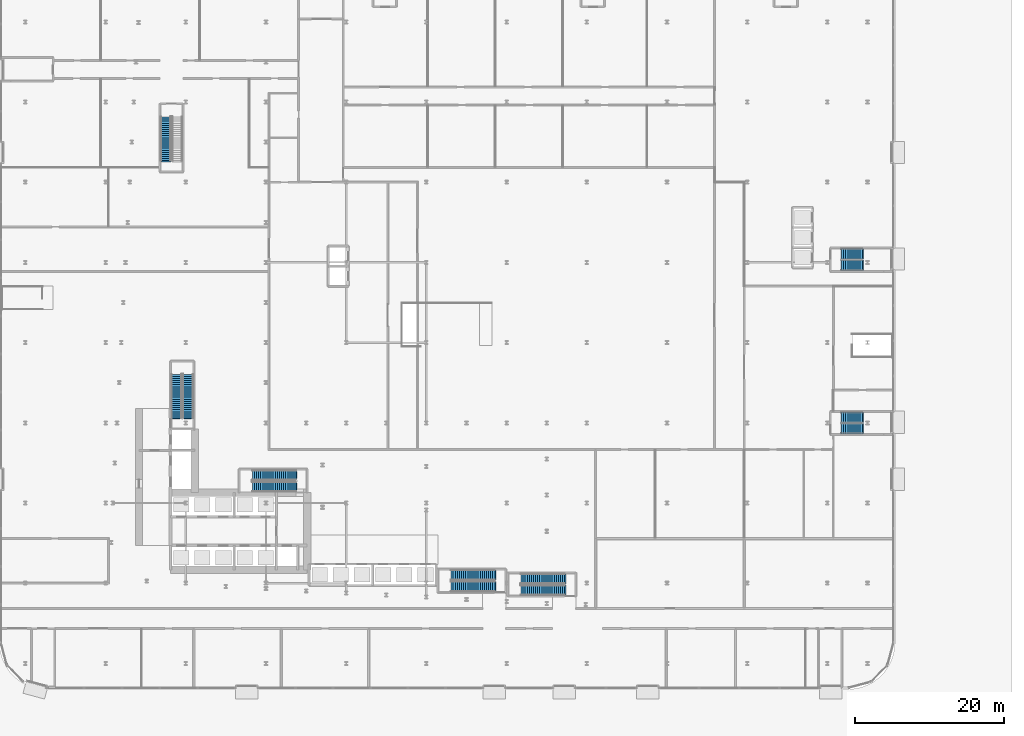
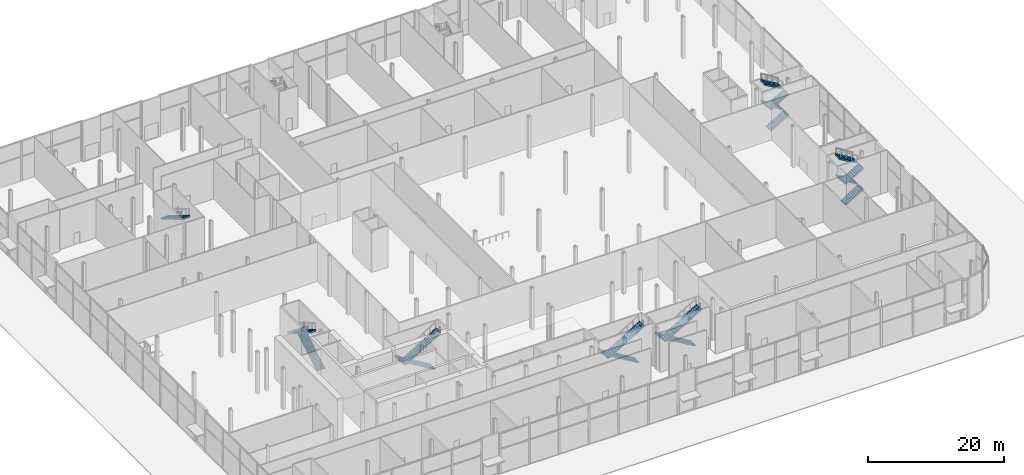
# One storey, part 33 of 46: 17 stair flights, 7 elements without a shape of their own.
"""IFC4 building model written with IfcOpenShell, lengths in metres."""

from ifc_helpers import new_model, si_unit, direction, frame, origin, place, context, subcontext, project, spatial, polyline, outline, extrude, material, layer, layer_set, type_object, element, aggregate, save


model = new_model("IFC4")

# Units and contexts
model_context = context("Model", 3, precision=1e-05, world=origin(), true_north=direction((0.0, 1.0)))
body_context = subcontext(model_context, "Body", "Model", "MODEL_VIEW")
ifc_project = project(units=[si_unit("LENGTHUNIT", "METRE"), si_unit("AREAUNIT", "SQUARE_METRE"), si_unit("VOLUMEUNIT", "CUBIC_METRE"), si_unit("PLANEANGLEUNIT", "RADIAN"), si_unit("MASSUNIT", "GRAM", prefix="KILO")], contexts=[model_context])

# Site, building, storey
site_placement = place(None, origin())
site = spatial("IfcSite", under=ifc_project, at=site_placement, CompositionType="ELEMENT")
building_placement = place(site_placement, origin())
building = spatial("IfcBuilding", under=site, at=building_placement, Name="Kheshtan School and Residences Tower", CompositionType="ELEMENT")
storey_placement = place(building_placement, origin())
storey = spatial("IfcBuildingStorey", under=building, at=storey_placement, Name="L00", CompositionType="ELEMENT", Elevation=0.0)

# Stair, stair flights
ifc_material = material(Name="Concrete C40/50", Category="concrete")
stair_type = type_object("IfcStairType", Name="Exit stair, half-turn", PredefinedType="HALF_TURN_STAIR", material=ifc_material)
stair_1_placement = place(storey_placement, origin())
stair_1 = element("IfcStair", 1, at=stair_1_placement, inside=storey, type_object=stair_type, Name="L00 Protected Exit Stair ST1", PredefinedType="HALF_TURN_STAIR")
ifc_layer = layer(ifc_material, 0.14990234375)
ifc_layer_set = layer_set([ifc_layer], Name="Stair flight 1400 Concrete C40/50")
stair_flight_type = type_object("IfcStairFlightType", Name="Stair flight 1400 Concrete C40/50", PredefinedType="STRAIGHT", material=ifc_layer_set)
stair_flight_1_placement = place(storey_placement, frame((51.64990234375, 38.550048828125, 0.0), z_axis=(0.0, 0.0, 1.0), x_axis=(-1.0, 0.0, 0.0)))
stair_flight_1 = element("IfcStairFlight", 2, at=stair_flight_1_placement, type_object=stair_flight_type, Name="ST1 flight 1", NumberOfRisers=22, NumberOfTreads=21, PredefinedType="STRAIGHT", RiserHeight=0.170454545, TreadLength=0.28, context=body_context, shape_type="SweptSolid", body=[
    extrude(outline(polyline([(-0.14990234375, -0.10009765625), (-0.14990234375, 0.0), (0.0, 0.0), (0.0, 0.17041015625), (0.280029296875, 0.17041015625), (0.280029296875, 0.3408203125), (0.56005859375, 0.3408203125), (0.56005859375, 0.511474609375), (0.840087890625, 0.511474609375), (0.840087890625, 0.681884765625), (1.1201171875, 0.681884765625), (1.1201171875, 0.852294921875), (1.39990234375, 0.852294921875), (1.39990234375, 1.022705078125), (1.679931640625, 1.022705078125), (1.679931640625, 1.193115234375), (1.9599609375, 1.193115234375), (1.9599609375, 1.363525390625), (2.239990234375, 1.363525390625), (2.239990234375, 1.5341796875), (2.52001953125, 1.5341796875), (2.52001953125, 1.70458984375), (2.800048828125, 1.70458984375), (2.800048828125, 1.875), (3.080078125, 1.875), (3.080078125, 2.04541015625), (3.360107421875, 2.04541015625), (3.360107421875, 2.2158203125), (3.639892578125, 2.2158203125), (3.639892578125, 2.386474609375), (3.919921875, 2.386474609375), (3.919921875, 2.556884765625), (4.199951171875, 2.556884765625), (4.199951171875, 2.727294921875), (4.47998046875, 2.727294921875), (4.47998046875, 2.897705078125), (4.760009765625, 2.897705078125), (4.760009765625, 3.068115234375), (5.0400390625, 3.068115234375), (5.0400390625, 3.238525390625), (5.320068359375, 3.238525390625), (5.320068359375, 3.4091796875), (5.60009765625, 3.4091796875), (5.60009765625, 3.57958984375), (5.8798828125, 3.57958984375), (5.8798828125, 3.75), (5.8798828125, 3.77001953125), (6.02978515625, 3.77001953125), (6.02978515625, 3.404052734375), (0.288330078125, 0.0), (-0.14990234375, -0.10009765625)])), frame((0.0, 0.699951171875, 0.0), z_axis=(0.0, -1.0, 0.0), x_axis=(1.0, 0.0, 0.0)), (0.0, 0.0, 1.0), 1.39990234375),
])
stair_flight_2_placement = place(storey_placement, frame((45.77001953125, 37.0, 3.75), z_axis=(0.0, 0.0, 1.0), x_axis=(1.0, 0.0, 0.0)))
stair_flight_2 = element("IfcStairFlight", 3, at=stair_flight_2_placement, type_object=stair_flight_type, Name="ST1 flight 2", NumberOfRisers=22, NumberOfTreads=21, PredefinedType="STRAIGHT", RiserHeight=0.170454545, TreadLength=0.28, context=body_context, shape_type="SweptSolid", body=[
    extrude(outline(polyline([(-0.14990234375, -0.10009765625), (-0.14990234375, 0.0), (0.0, 0.0), (0.0, 0.17041015625), (0.280029296875, 0.17041015625), (0.280029296875, 0.3408203125), (0.56005859375, 0.3408203125), (0.56005859375, 0.511474609375), (0.840087890625, 0.511474609375), (0.840087890625, 0.681884765625), (1.1201171875, 0.681884765625), (1.1201171875, 0.852294921875), (1.39990234375, 0.852294921875), (1.39990234375, 1.022705078125), (1.679931640625, 1.022705078125), (1.679931640625, 1.193115234375), (1.9599609375, 1.193115234375), (1.9599609375, 1.363525390625), (2.239990234375, 1.363525390625), (2.239990234375, 1.5341796875), (2.52001953125, 1.5341796875), (2.52001953125, 1.70458984375), (2.800048828125, 1.70458984375), (2.800048828125, 1.875), (3.080078125, 1.875), (3.080078125, 2.04541015625), (3.360107421875, 2.04541015625), (3.360107421875, 2.2158203125), (3.639892578125, 2.2158203125), (3.639892578125, 2.386474609375), (3.919921875, 2.386474609375), (3.919921875, 2.556884765625), (4.199951171875, 2.556884765625), (4.199951171875, 2.727294921875), (4.47998046875, 2.727294921875), (4.47998046875, 2.897705078125), (4.760009765625, 2.897705078125), (4.760009765625, 3.068115234375), (5.0400390625, 3.068115234375), (5.0400390625, 3.238525390625), (5.320068359375, 3.238525390625), (5.320068359375, 3.4091796875), (5.60009765625, 3.4091796875), (5.60009765625, 3.57958984375), (5.8798828125, 3.57958984375), (5.8798828125, 3.75), (5.8798828125, 3.77001953125), (6.02978515625, 3.77001953125), (6.02978515625, 3.404052734375), (0.288330078125, 0.0), (-0.14990234375, -0.10009765625)])), frame((0.0, 0.699951171875, 0.0), z_axis=(0.0, -1.0, 0.0), x_axis=(1.0, 0.0, 0.0)), (0.0, 0.0, 1.0), 1.39990234375),
])
aggregate(stair_1, [stair_flight_1, stair_flight_2])

stair_2_placement = place(storey_placement, origin())
stair_2 = element("IfcStair", 4, at=stair_2_placement, inside=storey, type_object=stair_type, Name="L00 Protected Exit Stair ST2", PredefinedType="HALF_TURN_STAIR")
stair_flight_3_placement = place(storey_placement, frame((37.10009765625, 46.25, 0.0), z_axis=(0.0, 0.0, 1.0), x_axis=(0.0, 1.0, 0.0)))
stair_flight_3 = element("IfcStairFlight", 5, at=stair_flight_3_placement, type_object=stair_flight_type, Name="ST2 flight 1", NumberOfRisers=22, NumberOfTreads=21, PredefinedType="STRAIGHT", RiserHeight=0.170454545, TreadLength=0.28, context=body_context, shape_type="SweptSolid", body=[
    extrude(outline(polyline([(-0.14990234375, -0.10009765625), (-0.14990234375, 0.0), (0.0, 0.0), (0.0, 0.17041015625), (0.280029296875, 0.17041015625), (0.280029296875, 0.3408203125), (0.56005859375, 0.3408203125), (0.56005859375, 0.511474609375), (0.840087890625, 0.511474609375), (0.840087890625, 0.681884765625), (1.1201171875, 0.681884765625), (1.1201171875, 0.852294921875), (1.39990234375, 0.852294921875), (1.39990234375, 1.022705078125), (1.679931640625, 1.022705078125), (1.679931640625, 1.193115234375), (1.9599609375, 1.193115234375), (1.9599609375, 1.363525390625), (2.239990234375, 1.363525390625), (2.239990234375, 1.5341796875), (2.52001953125, 1.5341796875), (2.52001953125, 1.70458984375), (2.800048828125, 1.70458984375), (2.800048828125, 1.875), (3.080078125, 1.875), (3.080078125, 2.04541015625), (3.360107421875, 2.04541015625), (3.360107421875, 2.2158203125), (3.639892578125, 2.2158203125), (3.639892578125, 2.386474609375), (3.919921875, 2.386474609375), (3.919921875, 2.556884765625), (4.199951171875, 2.556884765625), (4.199951171875, 2.727294921875), (4.47998046875, 2.727294921875), (4.47998046875, 2.897705078125), (4.760009765625, 2.897705078125), (4.760009765625, 3.068115234375), (5.0400390625, 3.068115234375), (5.0400390625, 3.238525390625), (5.320068359375, 3.238525390625), (5.320068359375, 3.4091796875), (5.60009765625, 3.4091796875), (5.60009765625, 3.57958984375), (5.8798828125, 3.57958984375), (5.8798828125, 3.75), (5.8798828125, 3.77001953125), (6.02978515625, 3.77001953125), (6.02978515625, 3.404052734375), (0.288330078125, 0.0), (-0.14990234375, -0.10009765625)])), frame((0.0, 0.699951171875, 0.0), z_axis=(0.0, -1.0, 0.0), x_axis=(1.0, 0.0, 0.0)), (0.0, 0.0, 1.0), 1.39990234375),
])
stair_flight_4_placement = place(storey_placement, frame((35.550048828125, 52.1298828125, 3.75), z_axis=(0.0, 0.0, 1.0), x_axis=(0.0, -1.0, 0.0)))
stair_flight_4 = element("IfcStairFlight", 6, at=stair_flight_4_placement, type_object=stair_flight_type, Name="ST2 flight 2", NumberOfRisers=22, NumberOfTreads=21, PredefinedType="STRAIGHT", RiserHeight=0.170454545, TreadLength=0.28, context=body_context, shape_type="SweptSolid", body=[
    extrude(outline(polyline([(-0.14990234375, -0.10009765625), (-0.14990234375, 0.0), (0.0, 0.0), (0.0, 0.17041015625), (0.280029296875, 0.17041015625), (0.280029296875, 0.3408203125), (0.56005859375, 0.3408203125), (0.56005859375, 0.511474609375), (0.840087890625, 0.511474609375), (0.840087890625, 0.681884765625), (1.1201171875, 0.681884765625), (1.1201171875, 0.852294921875), (1.39990234375, 0.852294921875), (1.39990234375, 1.022705078125), (1.679931640625, 1.022705078125), (1.679931640625, 1.193115234375), (1.9599609375, 1.193115234375), (1.9599609375, 1.363525390625), (2.239990234375, 1.363525390625), (2.239990234375, 1.5341796875), (2.52001953125, 1.5341796875), (2.52001953125, 1.70458984375), (2.800048828125, 1.70458984375), (2.800048828125, 1.875), (3.080078125, 1.875), (3.080078125, 2.04541015625), (3.360107421875, 2.04541015625), (3.360107421875, 2.2158203125), (3.639892578125, 2.2158203125), (3.639892578125, 2.386474609375), (3.919921875, 2.386474609375), (3.919921875, 2.556884765625), (4.199951171875, 2.556884765625), (4.199951171875, 2.727294921875), (4.47998046875, 2.727294921875), (4.47998046875, 2.897705078125), (4.760009765625, 2.897705078125), (4.760009765625, 3.068115234375), (5.0400390625, 3.068115234375), (5.0400390625, 3.238525390625), (5.320068359375, 3.238525390625), (5.320068359375, 3.4091796875), (5.60009765625, 3.4091796875), (5.60009765625, 3.57958984375), (5.8798828125, 3.57958984375), (5.8798828125, 3.75), (5.8798828125, 3.77001953125), (6.02978515625, 3.77001953125), (6.02978515625, 3.404052734375), (0.288330078125, 0.0), (-0.14990234375, -0.10009765625)])), frame((0.0, 0.699951171875, 0.0), z_axis=(0.0, -1.0, 0.0), x_axis=(1.0, 0.0, 0.0)), (0.0, 0.0, 1.0), 1.39990234375),
])
aggregate(stair_2, [stair_flight_3, stair_flight_4])

# Stair, stair flight
stair_3_placement = place(storey_placement, origin())
stair_3 = element("IfcStair", 7, at=stair_3_placement, inside=storey, type_object=stair_type, Name="L00 Protected Exit Stair ST3", PredefinedType="HALF_TURN_STAIR")
stair_flight_5_placement = place(storey_placement, frame((34.10009765625, 86.780029296875, 3.75), z_axis=(0.0, 0.0, 1.0), x_axis=(0.0, -1.0, 0.0)))
stair_flight_5 = element("IfcStairFlight", 8, at=stair_flight_5_placement, type_object=stair_flight_type, Name="ST3 flight 2", NumberOfRisers=22, NumberOfTreads=21, PredefinedType="STRAIGHT", RiserHeight=0.170454545, TreadLength=0.28, context=body_context, shape_type="SweptSolid", body=[
    extrude(outline(polyline([(-0.14990234375, -0.10009765625), (-0.14990234375, 0.0), (0.0, 0.0), (0.0, 0.17041015625), (0.280029296875, 0.17041015625), (0.280029296875, 0.3408203125), (0.56005859375, 0.3408203125), (0.56005859375, 0.511474609375), (0.840087890625, 0.511474609375), (0.840087890625, 0.681884765625), (1.1201171875, 0.681884765625), (1.1201171875, 0.852294921875), (1.39990234375, 0.852294921875), (1.39990234375, 1.022705078125), (1.679931640625, 1.022705078125), (1.679931640625, 1.193115234375), (1.9599609375, 1.193115234375), (1.9599609375, 1.363525390625), (2.239990234375, 1.363525390625), (2.239990234375, 1.5341796875), (2.52001953125, 1.5341796875), (2.52001953125, 1.70458984375), (2.800048828125, 1.70458984375), (2.800048828125, 1.875), (3.080078125, 1.875), (3.080078125, 2.04541015625), (3.360107421875, 2.04541015625), (3.360107421875, 2.2158203125), (3.639892578125, 2.2158203125), (3.639892578125, 2.386474609375), (3.919921875, 2.386474609375), (3.919921875, 2.556884765625), (4.199951171875, 2.556884765625), (4.199951171875, 2.727294921875), (4.47998046875, 2.727294921875), (4.47998046875, 2.897705078125), (4.760009765625, 2.897705078125), (4.760009765625, 3.068115234375), (5.0400390625, 3.068115234375), (5.0400390625, 3.238525390625), (5.320068359375, 3.238525390625), (5.320068359375, 3.4091796875), (5.60009765625, 3.4091796875), (5.60009765625, 3.57958984375), (5.8798828125, 3.57958984375), (5.8798828125, 3.75), (5.8798828125, 3.77001953125), (6.02978515625, 3.77001953125), (6.02978515625, 3.404052734375), (0.288330078125, 0.0), (-0.14990234375, -0.10009765625)])), frame((0.0, 0.699951171875, 0.0), z_axis=(0.0, -1.0, 0.0), x_axis=(1.0, 0.0, 0.0)), (0.0, 0.0, 1.0), 1.39990234375),
])
aggregate(stair_3, [stair_flight_5])

# Stair, stair flights
stair_4_placement = place(storey_placement, origin())
stair_4 = element("IfcStair", 9, at=stair_4_placement, inside=storey, type_object=stair_type, Name="L00 Protected Exit Stair ST4", PredefinedType="HALF_TURN_STAIR")
stair_flight_6_placement = place(storey_placement, frame((87.820068359375, 24.60009765625, 0.0), z_axis=(0.0, 0.0, 1.0), x_axis=(-1.0, 0.0, 0.0)))
stair_flight_6 = element("IfcStairFlight", 10, at=stair_flight_6_placement, type_object=stair_flight_type, Name="ST4 flight 1", NumberOfRisers=22, NumberOfTreads=21, PredefinedType="STRAIGHT", RiserHeight=0.170454545, TreadLength=0.28, context=body_context, shape_type="SweptSolid", body=[
    extrude(outline(polyline([(-0.14990234375, -0.10009765625), (-0.14990234375, 0.0), (0.0, 0.0), (0.0, 0.17041015625), (0.280029296875, 0.17041015625), (0.280029296875, 0.3408203125), (0.56005859375, 0.3408203125), (0.56005859375, 0.511474609375), (0.840087890625, 0.511474609375), (0.840087890625, 0.681884765625), (1.1201171875, 0.681884765625), (1.1201171875, 0.852294921875), (1.39990234375, 0.852294921875), (1.39990234375, 1.022705078125), (1.679931640625, 1.022705078125), (1.679931640625, 1.193115234375), (1.9599609375, 1.193115234375), (1.9599609375, 1.363525390625), (2.239990234375, 1.363525390625), (2.239990234375, 1.5341796875), (2.52001953125, 1.5341796875), (2.52001953125, 1.70458984375), (2.800048828125, 1.70458984375), (2.800048828125, 1.875), (3.080078125, 1.875), (3.080078125, 2.04541015625), (3.360107421875, 2.04541015625), (3.360107421875, 2.2158203125), (3.639892578125, 2.2158203125), (3.639892578125, 2.386474609375), (3.919921875, 2.386474609375), (3.919921875, 2.556884765625), (4.199951171875, 2.556884765625), (4.199951171875, 2.727294921875), (4.47998046875, 2.727294921875), (4.47998046875, 2.897705078125), (4.760009765625, 2.897705078125), (4.760009765625, 3.068115234375), (5.0400390625, 3.068115234375), (5.0400390625, 3.238525390625), (5.320068359375, 3.238525390625), (5.320068359375, 3.4091796875), (5.60009765625, 3.4091796875), (5.60009765625, 3.57958984375), (5.8798828125, 3.57958984375), (5.8798828125, 3.75), (5.8798828125, 3.77001953125), (6.02978515625, 3.77001953125), (6.02978515625, 3.404052734375), (0.288330078125, 0.0), (-0.14990234375, -0.10009765625)])), frame((0.0, 0.699951171875, 0.0), z_axis=(0.0, -1.0, 0.0), x_axis=(1.0, 0.0, 0.0)), (0.0, 0.0, 1.0), 1.39990234375),
])
stair_flight_7_placement = place(storey_placement, frame((81.93994140625, 23.050048828125, 3.75), z_axis=(0.0, 0.0, 1.0), x_axis=(1.0, 0.0, 0.0)))
stair_flight_7 = element("IfcStairFlight", 11, at=stair_flight_7_placement, type_object=stair_flight_type, Name="ST4 flight 2", NumberOfRisers=22, NumberOfTreads=21, PredefinedType="STRAIGHT", RiserHeight=0.170454545, TreadLength=0.28, context=body_context, shape_type="SweptSolid", body=[
    extrude(outline(polyline([(-0.14990234375, -0.10009765625), (-0.14990234375, 0.0), (0.0, 0.0), (0.0, 0.17041015625), (0.280029296875, 0.17041015625), (0.280029296875, 0.3408203125), (0.56005859375, 0.3408203125), (0.56005859375, 0.511474609375), (0.840087890625, 0.511474609375), (0.840087890625, 0.681884765625), (1.1201171875, 0.681884765625), (1.1201171875, 0.852294921875), (1.39990234375, 0.852294921875), (1.39990234375, 1.022705078125), (1.679931640625, 1.022705078125), (1.679931640625, 1.193115234375), (1.9599609375, 1.193115234375), (1.9599609375, 1.363525390625), (2.239990234375, 1.363525390625), (2.239990234375, 1.5341796875), (2.52001953125, 1.5341796875), (2.52001953125, 1.70458984375), (2.800048828125, 1.70458984375), (2.800048828125, 1.875), (3.080078125, 1.875), (3.080078125, 2.04541015625), (3.360107421875, 2.04541015625), (3.360107421875, 2.2158203125), (3.639892578125, 2.2158203125), (3.639892578125, 2.386474609375), (3.919921875, 2.386474609375), (3.919921875, 2.556884765625), (4.199951171875, 2.556884765625), (4.199951171875, 2.727294921875), (4.47998046875, 2.727294921875), (4.47998046875, 2.897705078125), (4.760009765625, 2.897705078125), (4.760009765625, 3.068115234375), (5.0400390625, 3.068115234375), (5.0400390625, 3.238525390625), (5.320068359375, 3.238525390625), (5.320068359375, 3.4091796875), (5.60009765625, 3.4091796875), (5.60009765625, 3.57958984375), (5.8798828125, 3.57958984375), (5.8798828125, 3.75), (5.8798828125, 3.77001953125), (6.02978515625, 3.77001953125), (6.02978515625, 3.404052734375), (0.288330078125, 0.0), (-0.14990234375, -0.10009765625)])), frame((0.0, 0.699951171875, 0.0), z_axis=(0.0, -1.0, 0.0), x_axis=(1.0, 0.0, 0.0)), (0.0, 0.0, 1.0), 1.39990234375),
])
aggregate(stair_4, [stair_flight_6, stair_flight_7])

stair_5_placement = place(storey_placement, origin())
stair_5 = element("IfcStair", 12, at=stair_5_placement, inside=storey, type_object=stair_type, Name="L00 Protected Exit Stair ST5", PredefinedType="HALF_TURN_STAIR")
stair_flight_8_placement = place(storey_placement, frame((78.409912109375, 25.10009765625, 0.0), z_axis=(0.0, 0.0, 1.0), x_axis=(-1.0, 0.0, 0.0)))
stair_flight_8 = element("IfcStairFlight", 13, at=stair_flight_8_placement, type_object=stair_flight_type, Name="ST5 flight 1", NumberOfRisers=22, NumberOfTreads=21, PredefinedType="STRAIGHT", RiserHeight=0.170454545, TreadLength=0.28, context=body_context, shape_type="SweptSolid", body=[
    extrude(outline(polyline([(-0.14990234375, -0.10009765625), (-0.14990234375, 0.0), (0.0, 0.0), (0.0, 0.17041015625), (0.280029296875, 0.17041015625), (0.280029296875, 0.3408203125), (0.56005859375, 0.3408203125), (0.56005859375, 0.511474609375), (0.840087890625, 0.511474609375), (0.840087890625, 0.681884765625), (1.1201171875, 0.681884765625), (1.1201171875, 0.852294921875), (1.39990234375, 0.852294921875), (1.39990234375, 1.022705078125), (1.679931640625, 1.022705078125), (1.679931640625, 1.193115234375), (1.9599609375, 1.193115234375), (1.9599609375, 1.363525390625), (2.239990234375, 1.363525390625), (2.239990234375, 1.5341796875), (2.52001953125, 1.5341796875), (2.52001953125, 1.70458984375), (2.800048828125, 1.70458984375), (2.800048828125, 1.875), (3.080078125, 1.875), (3.080078125, 2.04541015625), (3.360107421875, 2.04541015625), (3.360107421875, 2.2158203125), (3.639892578125, 2.2158203125), (3.639892578125, 2.386474609375), (3.919921875, 2.386474609375), (3.919921875, 2.556884765625), (4.199951171875, 2.556884765625), (4.199951171875, 2.727294921875), (4.47998046875, 2.727294921875), (4.47998046875, 2.897705078125), (4.760009765625, 2.897705078125), (4.760009765625, 3.068115234375), (5.0400390625, 3.068115234375), (5.0400390625, 3.238525390625), (5.320068359375, 3.238525390625), (5.320068359375, 3.4091796875), (5.60009765625, 3.4091796875), (5.60009765625, 3.57958984375), (5.8798828125, 3.57958984375), (5.8798828125, 3.75), (5.8798828125, 3.77001953125), (6.02978515625, 3.77001953125), (6.02978515625, 3.404052734375), (0.288330078125, 0.0), (-0.14990234375, -0.10009765625)])), frame((0.0, 0.699951171875, 0.0), z_axis=(0.0, -1.0, 0.0), x_axis=(1.0, 0.0, 0.0)), (0.0, 0.0, 1.0), 1.39990234375),
])
stair_flight_9_placement = place(storey_placement, frame((72.530029296875, 23.550048828125, 3.75), z_axis=(0.0, 0.0, 1.0), x_axis=(1.0, 0.0, 0.0)))
stair_flight_9 = element("IfcStairFlight", 14, at=stair_flight_9_placement, type_object=stair_flight_type, Name="ST5 flight 2", NumberOfRisers=22, NumberOfTreads=21, PredefinedType="STRAIGHT", RiserHeight=0.170454545, TreadLength=0.28, context=body_context, shape_type="SweptSolid", body=[
    extrude(outline(polyline([(-0.14990234375, -0.10009765625), (-0.14990234375, 0.0), (0.0, 0.0), (0.0, 0.17041015625), (0.280029296875, 0.17041015625), (0.280029296875, 0.3408203125), (0.56005859375, 0.3408203125), (0.56005859375, 0.511474609375), (0.840087890625, 0.511474609375), (0.840087890625, 0.681884765625), (1.1201171875, 0.681884765625), (1.1201171875, 0.852294921875), (1.39990234375, 0.852294921875), (1.39990234375, 1.022705078125), (1.679931640625, 1.022705078125), (1.679931640625, 1.193115234375), (1.9599609375, 1.193115234375), (1.9599609375, 1.363525390625), (2.239990234375, 1.363525390625), (2.239990234375, 1.5341796875), (2.52001953125, 1.5341796875), (2.52001953125, 1.70458984375), (2.800048828125, 1.70458984375), (2.800048828125, 1.875), (3.080078125, 1.875), (3.080078125, 2.04541015625), (3.360107421875, 2.04541015625), (3.360107421875, 2.2158203125), (3.639892578125, 2.2158203125), (3.639892578125, 2.386474609375), (3.919921875, 2.386474609375), (3.919921875, 2.556884765625), (4.199951171875, 2.556884765625), (4.199951171875, 2.727294921875), (4.47998046875, 2.727294921875), (4.47998046875, 2.897705078125), (4.760009765625, 2.897705078125), (4.760009765625, 3.068115234375), (5.0400390625, 3.068115234375), (5.0400390625, 3.238525390625), (5.320068359375, 3.238525390625), (5.320068359375, 3.4091796875), (5.60009765625, 3.4091796875), (5.60009765625, 3.57958984375), (5.8798828125, 3.57958984375), (5.8798828125, 3.75), (5.8798828125, 3.77001953125), (6.02978515625, 3.77001953125), (6.02978515625, 3.404052734375), (0.288330078125, 0.0), (-0.14990234375, -0.10009765625)])), frame((0.0, 0.699951171875, 0.0), z_axis=(0.0, -1.0, 0.0), x_axis=(1.0, 0.0, 0.0)), (0.0, 0.0, 1.0), 1.39990234375),
])
aggregate(stair_5, [stair_flight_8, stair_flight_9])

stair_6_placement = place(storey_placement, origin())
stair_6 = element("IfcStair", 15, at=stair_6_placement, inside=storey, type_object=stair_type, Name="L00 School Exit Stair 124-044", PredefinedType="HALF_TURN_STAIR")
stair_flight_10_placement = place(storey_placement, frame((125.10009765625, 44.800048828125, 0.0), z_axis=(0.0, 0.0, 1.0), x_axis=(1.0, 0.0, 0.0)))
stair_flight_10 = element("IfcStairFlight", 16, at=stair_flight_10_placement, type_object=stair_flight_type, Name="PS-124-044 flight 1", NumberOfRisers=11, NumberOfTreads=10, PredefinedType="STRAIGHT", RiserHeight=0.170454545, TreadLength=0.28, context=body_context, shape_type="SweptSolid", body=[
    extrude(outline(polyline([(-0.14990234375, -0.10009765625), (-0.14990234375, 0.0), (0.0, 0.0), (0.0, 0.17041015625), (0.280029296875, 0.17041015625), (0.280029296875, 0.3408203125), (0.56005859375, 0.3408203125), (0.56005859375, 0.511474609375), (0.840087890625, 0.511474609375), (0.840087890625, 0.681884765625), (1.1201171875, 0.681884765625), (1.1201171875, 0.852294921875), (1.39990234375, 0.852294921875), (1.39990234375, 1.022705078125), (1.679931640625, 1.022705078125), (1.679931640625, 1.193115234375), (1.9599609375, 1.193115234375), (1.9599609375, 1.363525390625), (2.239990234375, 1.363525390625), (2.239990234375, 1.5341796875), (2.52001953125, 1.5341796875), (2.52001953125, 1.70458984375), (2.800048828125, 1.70458984375), (2.800048828125, 1.875), (2.800048828125, 1.89501953125), (2.949951171875, 1.89501953125), (2.949951171875, 1.529052734375), (0.288330078125, 0.0), (-0.14990234375, -0.10009765625)])), frame((0.0, 0.699951171875, 0.0), z_axis=(0.0, -1.0, 0.0), x_axis=(1.0, 0.0, 0.0)), (0.0, 0.0, 1.0), 1.39990234375),
])
stair_flight_11_placement = place(storey_placement, frame((127.89990234375, 46.35009765625, 1.875), z_axis=(0.0, 0.0, 1.0), x_axis=(-1.0, 0.0, 0.0)))
stair_flight_11 = element("IfcStairFlight", 17, at=stair_flight_11_placement, type_object=stair_flight_type, Name="PS-124-044 flight 2", NumberOfRisers=11, NumberOfTreads=10, PredefinedType="STRAIGHT", RiserHeight=0.170454545, TreadLength=0.28, context=body_context, shape_type="SweptSolid", body=[
    extrude(outline(polyline([(-0.14990234375, -0.10009765625), (-0.14990234375, 0.0), (0.0, 0.0), (0.0, 0.17041015625), (0.280029296875, 0.17041015625), (0.280029296875, 0.3408203125), (0.56005859375, 0.3408203125), (0.56005859375, 0.511474609375), (0.840087890625, 0.511474609375), (0.840087890625, 0.681884765625), (1.1201171875, 0.681884765625), (1.1201171875, 0.852294921875), (1.39990234375, 0.852294921875), (1.39990234375, 1.022705078125), (1.679931640625, 1.022705078125), (1.679931640625, 1.193115234375), (1.9599609375, 1.193115234375), (1.9599609375, 1.363525390625), (2.239990234375, 1.363525390625), (2.239990234375, 1.5341796875), (2.52001953125, 1.5341796875), (2.52001953125, 1.70458984375), (2.800048828125, 1.70458984375), (2.800048828125, 1.875), (2.800048828125, 1.89501953125), (2.949951171875, 1.89501953125), (2.949951171875, 1.529052734375), (0.288330078125, 0.0), (-0.14990234375, -0.10009765625)])), frame((0.0, 0.699951171875, 0.0), z_axis=(0.0, -1.0, 0.0), x_axis=(1.0, 0.0, 0.0)), (0.0, 0.0, 1.0), 1.39990234375),
])
stair_flight_12_placement = place(storey_placement, frame((125.10009765625, 44.800048828125, 3.75), z_axis=(0.0, 0.0, 1.0), x_axis=(1.0, 0.0, 0.0)))
stair_flight_12 = element("IfcStairFlight", 18, at=stair_flight_12_placement, type_object=stair_flight_type, Name="PS-124-044 flight 3", NumberOfRisers=11, NumberOfTreads=10, PredefinedType="STRAIGHT", RiserHeight=0.170454545, TreadLength=0.28, context=body_context, shape_type="SweptSolid", body=[
    extrude(outline(polyline([(-0.14990234375, -0.10009765625), (-0.14990234375, 0.0), (0.0, 0.0), (0.0, 0.17041015625), (0.280029296875, 0.17041015625), (0.280029296875, 0.3408203125), (0.56005859375, 0.3408203125), (0.56005859375, 0.511474609375), (0.840087890625, 0.511474609375), (0.840087890625, 0.681884765625), (1.1201171875, 0.681884765625), (1.1201171875, 0.852294921875), (1.39990234375, 0.852294921875), (1.39990234375, 1.022705078125), (1.679931640625, 1.022705078125), (1.679931640625, 1.193115234375), (1.9599609375, 1.193115234375), (1.9599609375, 1.363525390625), (2.239990234375, 1.363525390625), (2.239990234375, 1.5341796875), (2.52001953125, 1.5341796875), (2.52001953125, 1.70458984375), (2.800048828125, 1.70458984375), (2.800048828125, 1.875), (2.800048828125, 1.89501953125), (2.949951171875, 1.89501953125), (2.949951171875, 1.529052734375), (0.288330078125, 0.0), (-0.14990234375, -0.10009765625)])), frame((0.0, 0.699951171875, 0.0), z_axis=(0.0, -1.0, 0.0), x_axis=(1.0, 0.0, 0.0)), (0.0, 0.0, 1.0), 1.39990234375),
])
stair_flight_13_placement = place(storey_placement, frame((127.89990234375, 46.35009765625, 5.625), z_axis=(0.0, 0.0, 1.0), x_axis=(-1.0, 0.0, 0.0)))
stair_flight_13 = element("IfcStairFlight", 19, at=stair_flight_13_placement, type_object=stair_flight_type, Name="PS-124-044 flight 4", NumberOfRisers=11, NumberOfTreads=10, PredefinedType="STRAIGHT", RiserHeight=0.170454545, TreadLength=0.28, context=body_context, shape_type="SweptSolid", body=[
    extrude(outline(polyline([(-0.14990234375, -0.10009765625), (-0.14990234375, 0.0), (0.0, 0.0), (0.0, 0.17041015625), (0.280029296875, 0.17041015625), (0.280029296875, 0.3408203125), (0.56005859375, 0.3408203125), (0.56005859375, 0.511474609375), (0.840087890625, 0.511474609375), (0.840087890625, 0.681884765625), (1.1201171875, 0.681884765625), (1.1201171875, 0.852294921875), (1.39990234375, 0.852294921875), (1.39990234375, 1.022705078125), (1.679931640625, 1.022705078125), (1.679931640625, 1.193115234375), (1.9599609375, 1.193115234375), (1.9599609375, 1.363525390625), (2.239990234375, 1.363525390625), (2.239990234375, 1.5341796875), (2.52001953125, 1.5341796875), (2.52001953125, 1.70458984375), (2.800048828125, 1.70458984375), (2.800048828125, 1.875), (2.800048828125, 1.89501953125), (2.949951171875, 1.89501953125), (2.949951171875, 1.529052734375), (0.288330078125, 0.0), (-0.14990234375, -0.10009765625)])), frame((0.0, 0.699951171875, 0.0), z_axis=(0.0, -1.0, 0.0), x_axis=(1.0, 0.0, 0.0)), (0.0, 0.0, 1.0), 1.39990234375),
])
aggregate(stair_6, [stair_flight_10, stair_flight_11, stair_flight_12, stair_flight_13])

stair_7_placement = place(storey_placement, origin())
stair_7 = element("IfcStair", 20, at=stair_7_placement, inside=storey, type_object=stair_type, Name="L00 School Exit Stair 124-066", PredefinedType="HALF_TURN_STAIR")
stair_flight_14_placement = place(storey_placement, frame((125.10009765625, 66.800048828125, 0.0), z_axis=(0.0, 0.0, 1.0), x_axis=(1.0, 0.0, 0.0)))
stair_flight_14 = element("IfcStairFlight", 21, at=stair_flight_14_placement, type_object=stair_flight_type, Name="PS-124-066 flight 1", NumberOfRisers=11, NumberOfTreads=10, PredefinedType="STRAIGHT", RiserHeight=0.170454545, TreadLength=0.28, context=body_context, shape_type="SweptSolid", body=[
    extrude(outline(polyline([(-0.14990234375, -0.10009765625), (-0.14990234375, 0.0), (0.0, 0.0), (0.0, 0.17041015625), (0.280029296875, 0.17041015625), (0.280029296875, 0.3408203125), (0.56005859375, 0.3408203125), (0.56005859375, 0.511474609375), (0.840087890625, 0.511474609375), (0.840087890625, 0.681884765625), (1.1201171875, 0.681884765625), (1.1201171875, 0.852294921875), (1.39990234375, 0.852294921875), (1.39990234375, 1.022705078125), (1.679931640625, 1.022705078125), (1.679931640625, 1.193115234375), (1.9599609375, 1.193115234375), (1.9599609375, 1.363525390625), (2.239990234375, 1.363525390625), (2.239990234375, 1.5341796875), (2.52001953125, 1.5341796875), (2.52001953125, 1.70458984375), (2.800048828125, 1.70458984375), (2.800048828125, 1.875), (2.800048828125, 1.89501953125), (2.949951171875, 1.89501953125), (2.949951171875, 1.529052734375), (0.288330078125, 0.0), (-0.14990234375, -0.10009765625)])), frame((0.0, 0.699951171875, 0.0), z_axis=(0.0, -1.0, 0.0), x_axis=(1.0, 0.0, 0.0)), (0.0, 0.0, 1.0), 1.39990234375),
])
stair_flight_15_placement = place(storey_placement, frame((127.89990234375, 68.35009765625, 1.875), z_axis=(0.0, 0.0, 1.0), x_axis=(-1.0, 0.0, 0.0)))
stair_flight_15 = element("IfcStairFlight", 22, at=stair_flight_15_placement, type_object=stair_flight_type, Name="PS-124-066 flight 2", NumberOfRisers=11, NumberOfTreads=10, PredefinedType="STRAIGHT", RiserHeight=0.170454545, TreadLength=0.28, context=body_context, shape_type="SweptSolid", body=[
    extrude(outline(polyline([(-0.14990234375, -0.10009765625), (-0.14990234375, 0.0), (0.0, 0.0), (0.0, 0.17041015625), (0.280029296875, 0.17041015625), (0.280029296875, 0.3408203125), (0.56005859375, 0.3408203125), (0.56005859375, 0.511474609375), (0.840087890625, 0.511474609375), (0.840087890625, 0.681884765625), (1.1201171875, 0.681884765625), (1.1201171875, 0.852294921875), (1.39990234375, 0.852294921875), (1.39990234375, 1.022705078125), (1.679931640625, 1.022705078125), (1.679931640625, 1.193115234375), (1.9599609375, 1.193115234375), (1.9599609375, 1.363525390625), (2.239990234375, 1.363525390625), (2.239990234375, 1.5341796875), (2.52001953125, 1.5341796875), (2.52001953125, 1.70458984375), (2.800048828125, 1.70458984375), (2.800048828125, 1.875), (2.800048828125, 1.89501953125), (2.949951171875, 1.89501953125), (2.949951171875, 1.529052734375), (0.288330078125, 0.0), (-0.14990234375, -0.10009765625)])), frame((0.0, 0.699951171875, 0.0), z_axis=(0.0, -1.0, 0.0), x_axis=(1.0, 0.0, 0.0)), (0.0, 0.0, 1.0), 1.39990234375),
])
stair_flight_16_placement = place(storey_placement, frame((125.10009765625, 66.800048828125, 3.75), z_axis=(0.0, 0.0, 1.0), x_axis=(1.0, 0.0, 0.0)))
stair_flight_16 = element("IfcStairFlight", 23, at=stair_flight_16_placement, type_object=stair_flight_type, Name="PS-124-066 flight 3", NumberOfRisers=11, NumberOfTreads=10, PredefinedType="STRAIGHT", RiserHeight=0.170454545, TreadLength=0.28, context=body_context, shape_type="SweptSolid", body=[
    extrude(outline(polyline([(-0.14990234375, -0.10009765625), (-0.14990234375, 0.0), (0.0, 0.0), (0.0, 0.17041015625), (0.280029296875, 0.17041015625), (0.280029296875, 0.3408203125), (0.56005859375, 0.3408203125), (0.56005859375, 0.511474609375), (0.840087890625, 0.511474609375), (0.840087890625, 0.681884765625), (1.1201171875, 0.681884765625), (1.1201171875, 0.852294921875), (1.39990234375, 0.852294921875), (1.39990234375, 1.022705078125), (1.679931640625, 1.022705078125), (1.679931640625, 1.193115234375), (1.9599609375, 1.193115234375), (1.9599609375, 1.363525390625), (2.239990234375, 1.363525390625), (2.239990234375, 1.5341796875), (2.52001953125, 1.5341796875), (2.52001953125, 1.70458984375), (2.800048828125, 1.70458984375), (2.800048828125, 1.875), (2.800048828125, 1.89501953125), (2.949951171875, 1.89501953125), (2.949951171875, 1.529052734375), (0.288330078125, 0.0), (-0.14990234375, -0.10009765625)])), frame((0.0, 0.699951171875, 0.0), z_axis=(0.0, -1.0, 0.0), x_axis=(1.0, 0.0, 0.0)), (0.0, 0.0, 1.0), 1.39990234375),
])
stair_flight_17_placement = place(storey_placement, frame((127.89990234375, 68.35009765625, 5.625), z_axis=(0.0, 0.0, 1.0), x_axis=(-1.0, 0.0, 0.0)))
stair_flight_17 = element("IfcStairFlight", 24, at=stair_flight_17_placement, type_object=stair_flight_type, Name="PS-124-066 flight 4", NumberOfRisers=11, NumberOfTreads=10, PredefinedType="STRAIGHT", RiserHeight=0.170454545, TreadLength=0.28, context=body_context, shape_type="SweptSolid", body=[
    extrude(outline(polyline([(-0.14990234375, -0.10009765625), (-0.14990234375, 0.0), (0.0, 0.0), (0.0, 0.17041015625), (0.280029296875, 0.17041015625), (0.280029296875, 0.3408203125), (0.56005859375, 0.3408203125), (0.56005859375, 0.511474609375), (0.840087890625, 0.511474609375), (0.840087890625, 0.681884765625), (1.1201171875, 0.681884765625), (1.1201171875, 0.852294921875), (1.39990234375, 0.852294921875), (1.39990234375, 1.022705078125), (1.679931640625, 1.022705078125), (1.679931640625, 1.193115234375), (1.9599609375, 1.193115234375), (1.9599609375, 1.363525390625), (2.239990234375, 1.363525390625), (2.239990234375, 1.5341796875), (2.52001953125, 1.5341796875), (2.52001953125, 1.70458984375), (2.800048828125, 1.70458984375), (2.800048828125, 1.875), (2.800048828125, 1.89501953125), (2.949951171875, 1.89501953125), (2.949951171875, 1.529052734375), (0.288330078125, 0.0), (-0.14990234375, -0.10009765625)])), frame((0.0, 0.699951171875, 0.0), z_axis=(0.0, -1.0, 0.0), x_axis=(1.0, 0.0, 0.0)), (0.0, 0.0, 1.0), 1.39990234375),
])
aggregate(stair_7, [stair_flight_14, stair_flight_15, stair_flight_16, stair_flight_17])

save(model, "model.ifc")
